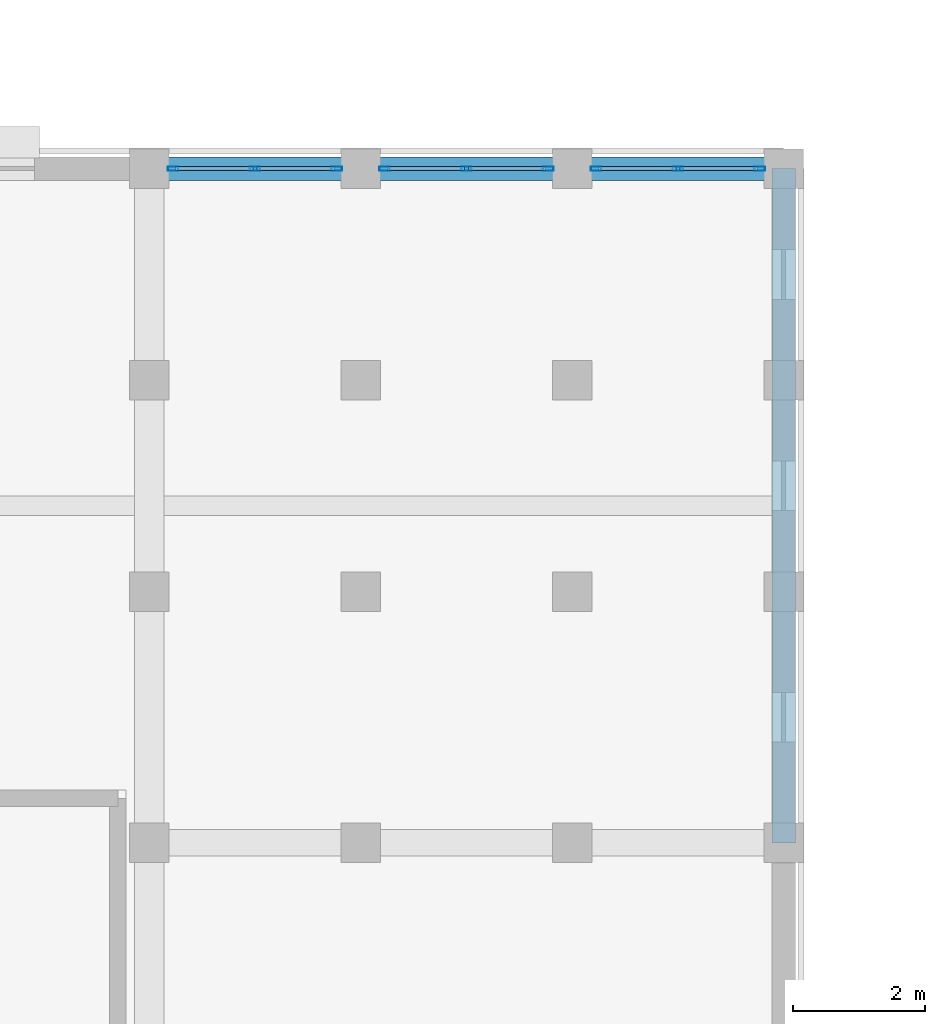
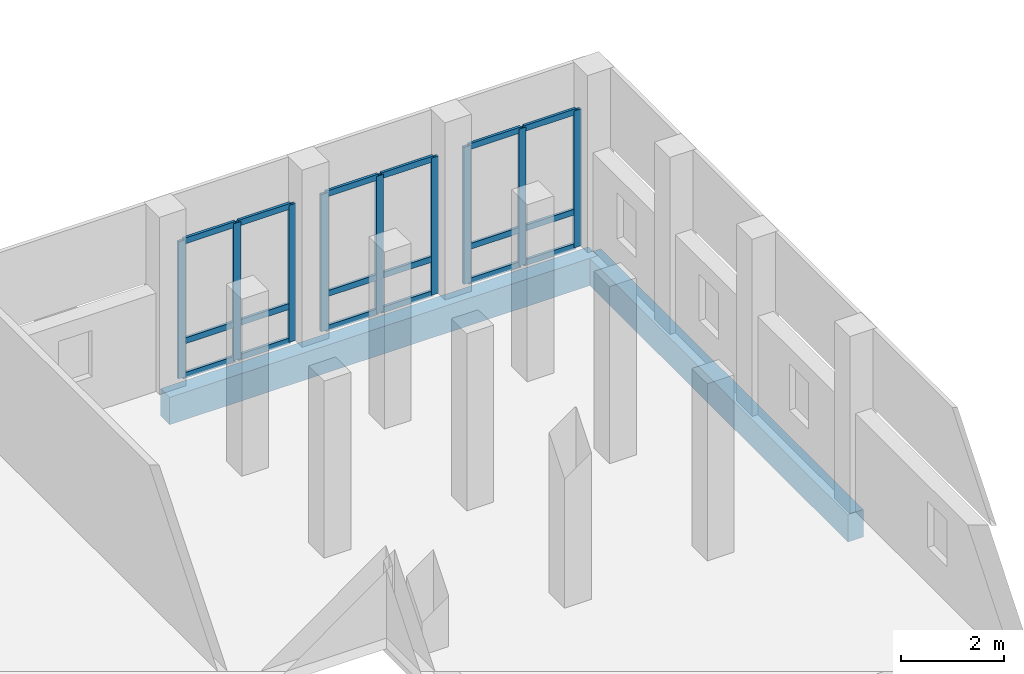
# One storey, part 24 of 93: 27 members, 2 beams, 3 elements without a shape of their own.
"""IFC4 building model written with IfcOpenShell, lengths in metres."""

import ifcopenshell
import ifcopenshell.guid

model = None  # the IFC model being written
_history = None  # IfcOwnerHistory: only IFC2X3 demands one
_inside = {}  # id of a spatial element -> (the spatial element, [elements in it])
_under = {}  # id of a project, library or spatial element -> (it, [spatial elements below it])
_declared = {}  # id of a project -> (the project, [libraries it declares])
_typed = {}  # id of a type object -> (the type object, [elements of that type])
_made_of = {}  # id of a material, layer set ... -> (it, [elements and type objects made of it])


def new_model(schema):
    """Start an empty IFC model of exactly this schema.

    Asked for "IFC4X3", IfcOpenShell would pick the latest addendum, in which some entities
    have other attributes; the version numbers below select the first issue.
    IFC2X3 requires an IfcOwnerHistory on every rooted entity: one is made here for all.
    """
    global model, _history
    if schema == "IFC4X3":
        model = ifcopenshell.file(schema_version=(4, 3, 0, 0))
    else:
        model = ifcopenshell.file(schema=schema)
    _inside.clear()
    _under.clear()
    _declared.clear()
    _typed.clear()
    _made_of.clear()
    _history = None
    if model.schema == "IFC2X3":
        org = make("IfcOrganization", Name="unknown")
        user = make(
            "IfcPersonAndOrganization",
            ThePerson=make("IfcPerson", FamilyName="unknown"),
            TheOrganization=org,
        )
        app = make(
            "IfcApplication",
            ApplicationDeveloper=org,
            Version="unknown",
            ApplicationFullName="unknown",
            ApplicationIdentifier="unknown",
        )
        _history = make(
            "IfcOwnerHistory",
            OwningUser=user,
            OwningApplication=app,
            ChangeAction="ADDED",
            CreationDate=0,
        )
    return model


def make(cls, **values):
    """One entity of the class cls with the attributes given. An attribute that is None is left unset."""
    return model.create_entity(
        cls, **{name: value for name, value in values.items() if value is not None}
    )


def rooted(cls, **values):
    """An entity with a GlobalId (a new one), such as an element, a storey or a relation."""
    return make(cls, GlobalId=ifcopenshell.guid.new(), OwnerHistory=_history, **values)


def si_unit(unit_type, name, prefix=None):
    """IfcSIUnit, for example si_unit("LENGTHUNIT", "METRE", prefix="MILLI")."""
    return make("IfcSIUnit", UnitType=unit_type, Prefix=prefix, Name=name)


def assignment(units):
    """IfcUnitAssignment: the units of a project."""
    return None if units is None else make("IfcUnitAssignment", Units=units)


def point(xyz):
    """IfcCartesianPoint."""
    return None if xyz is None else make("IfcCartesianPoint", Coordinates=xyz)


def direction(xyz):
    """IfcDirection."""
    return None if xyz is None else make("IfcDirection", DirectionRatios=xyz)


def frame(location, z_axis=None, x_axis=None):
    """IfcAxis2Placement3D, a coordinate frame: its origin and axes. An axis left out is left unset."""
    return make(
        "IfcAxis2Placement3D",
        Location=point(location),
        Axis=direction(z_axis),
        RefDirection=direction(x_axis),
    )


def frame_2d(location, x_axis=None):
    """IfcAxis2Placement2D, a coordinate frame in the plane: its origin and x axis."""
    return make(
        "IfcAxis2Placement2D", Location=point(location), RefDirection=direction(x_axis)
    )


def origin():
    """The frame at (0, 0, 0) with its axes left unset."""
    return frame((0.0, 0.0, 0.0))


def origin_2d():
    """The frame at (0, 0) in the plane with its x axis left unset."""
    return frame_2d((0.0, 0.0))


def place(relative_to, where):
    """IfcLocalPlacement: puts the frame where relative to a parent placement (None: the world)."""
    return make(
        "IfcLocalPlacement", PlacementRelTo=relative_to, RelativePlacement=where
    )


def context(
    kind, dimensions, precision=None, world=None, true_north=None, identifier=None
):
    """IfcGeometricRepresentationContext, for example the 3D "Model" context."""
    return make(
        "IfcGeometricRepresentationContext",
        ContextIdentifier=identifier,
        ContextType=kind,
        CoordinateSpaceDimension=dimensions,
        Precision=precision,
        WorldCoordinateSystem=world,
        TrueNorth=true_north,
    )


def subcontext(parent, identifier, kind, view, scale=None):
    """IfcGeometricRepresentationSubContext, for example "Body" below "Model"."""
    return make(
        "IfcGeometricRepresentationSubContext",
        ContextIdentifier=identifier,
        ContextType=kind,
        ParentContext=parent,
        TargetScale=scale,
        TargetView=view,
    )


def project(units=None, contexts=None):
    """IfcProject with its units and contexts."""
    return rooted(
        "IfcProject",
        Name="project",
        RepresentationContexts=contexts,
        UnitsInContext=assignment(units),
    )


def spatial(cls, under=None, at=None, **own):
    """A site, building, storey or space (cls), placed at a placement, below another one or the project."""
    s = rooted(cls, ObjectPlacement=at, **own)
    if under is not None:
        _under.setdefault(under.id(), (under, []))[1].append(s)
    return s


def profile(cls, at=None, kind="AREA", **sizes):
    """A parametric profile (cls). Its sizes go by their IFC names, for example OverallWidth=200.0."""
    return make(cls, ProfileType=kind, Position=at, **sizes)


def rectangle(**sizes):
    """IfcRectangleProfileDef."""
    return profile("IfcRectangleProfileDef", **sizes)


def hollow_rectangle(**sizes):
    """IfcRectangleHollowProfileDef."""
    return profile("IfcRectangleHollowProfileDef", **sizes)


def extrude(swept, where, along, depth):
    """IfcExtrudedAreaSolid: the profile swept, set in the frame where, extruded along a direction by depth."""
    return make(
        "IfcExtrudedAreaSolid",
        SweptArea=swept,
        Position=where,
        ExtrudedDirection=direction(along),
        Depth=depth,
    )


def shape(context_of_items, identifier, shape_type, items):
    """IfcShapeRepresentation: the items that make up one representation, for example the "Body"."""
    return make(
        "IfcShapeRepresentation",
        ContextOfItems=context_of_items,
        RepresentationIdentifier=identifier,
        RepresentationType=shape_type,
        Items=items,
    )


def material(Name=None, Category=None):
    """IfcMaterial."""
    return make("IfcMaterial", Name=Name, Category=Category)


def material_profile(
    of_material, cross_section, Name=None, Category=None, Priority=None
):
    """IfcMaterialProfile: a cross section and its material."""
    return make(
        "IfcMaterialProfile",
        Name=Name,
        Material=of_material,
        Profile=cross_section,
        Priority=Priority,
        Category=Category,
    )


def profile_set(profiles, Name=None, composite=None):
    """IfcMaterialProfileSet."""
    return make(
        "IfcMaterialProfileSet",
        Name=Name,
        MaterialProfiles=profiles,
        CompositeProfile=composite,
    )


def made_of(thing, what):
    """Note that an element or type object is made of a material, layer set ...; save() writes the relation."""
    if what is not None:
        _made_of.setdefault(what.id(), (what, []))[1].append(thing)
    return thing


def type_object(cls, material=None, **own):
    """A type object (cls), such as IfcWallType, which elements share."""
    return made_of(rooted(cls, **own), material)


def element(
    cls,
    number,
    at=None,
    inside=None,
    cuts=None,
    type_object=None,
    material=None,
    context=None,
    identifier="Body",
    shape_type=None,
    held_by="IfcProductDefinitionShape",
    body=None,
    shapes=None,
    **own,
):
    """One element of the class cls, such as IfcWall. Its Tag is "e" and its number.

    at: its placement. inside: the storey or other place that contains it. cuts: it is an
    opening in that element (IfcRelVoidsElement). A single representation is given by context,
    identifier, shape_type and body (its items); several are given by shapes. held_by: the class
    of the entity that holds the representations. save() writes the other relations.
    """
    e = rooted(cls, Tag="e%d" % number, ObjectPlacement=at, **own)
    if body is not None:
        shapes = [shape(context, identifier, shape_type, body)]
    if shapes is not None:
        e.Representation = make(held_by, Representations=shapes)
    if inside is not None:
        _inside.setdefault(inside.id(), (inside, []))[1].append(e)
    if cuts is not None:
        rooted(
            "IfcRelVoidsElement", RelatingBuildingElement=cuts, RelatedOpeningElement=e
        )
    if type_object is not None:
        _typed.setdefault(type_object.id(), (type_object, []))[1].append(e)
    return made_of(e, material)


def aggregate(whole, parts):
    """IfcRelAggregates: a whole, such as a stair, and the parts it consists of."""
    return rooted("IfcRelAggregates", RelatingObject=whole, RelatedObjects=parts)


def save(model, path):
    """Write the relations noted so far, then the file.

    IfcRelAggregates (storeys below a building ...), IfcRelContainedInSpatialStructure (elements
    in a storey), IfcRelDefinesByType, IfcRelAssociatesMaterial and IfcRelDeclares: one each for
    every whole, place, type object, material and project.
    """
    for whole, parts in _under.values():
        aggregate(whole, parts)
    for where, things in _inside.values():
        rooted(
            "IfcRelContainedInSpatialStructure",
            RelatedElements=things,
            RelatingStructure=where,
        )
    for kind, things in _typed.values():
        rooted("IfcRelDefinesByType", RelatedObjects=things, RelatingType=kind)
    for what, things in _made_of.values():
        rooted("IfcRelAssociatesMaterial", RelatedObjects=things, RelatingMaterial=what)
    for by, libraries in _declared.values():
        rooted("IfcRelDeclares", RelatingContext=by, RelatedDefinitions=libraries)
    model.write(path)


model = new_model("IFC4")

# Units and contexts
model_context = context("Model", 3, precision=1e-05, world=origin(), true_north=direction((0.0, 1.0)))
body_context = subcontext(model_context, "Body", "Model", "MODEL_VIEW")
ifc_project = project(units=[si_unit("LENGTHUNIT", "METRE"), si_unit("AREAUNIT", "SQUARE_METRE"), si_unit("VOLUMEUNIT", "CUBIC_METRE"), si_unit("PLANEANGLEUNIT", "RADIAN"), si_unit("MASSUNIT", "GRAM", prefix="KILO")], contexts=[model_context])

# Site, building, storey
site_placement = place(None, origin())
site = spatial("IfcSite", under=ifc_project, at=site_placement, CompositionType="ELEMENT")
building_placement = place(site_placement, origin())
building = spatial("IfcBuilding", under=site, at=building_placement, Name="Vondelvale Polytechnic", CompositionType="ELEMENT")
storey_placement = place(building_placement, frame((0.0, 0.0, 18.0)))
storey = spatial("IfcBuildingStorey", under=building, at=storey_placement, Name="L04", CompositionType="ELEMENT", Elevation=18.0)

# Curtain wall, members
ifc_material_1 = material(Name="Anodised extruded aluminium 6063-T6", Category="aluminium")
curtain_wall_type = type_object("IfcCurtainWallType", Name="CW-STUDIO-NORTH", PredefinedType="NOTDEFINED", material=ifc_material_1)
curtain_wall_1_placement = place(storey_placement, origin())
curtain_wall_1 = element("IfcCurtainWall", 1, at=curtain_wall_1_placement, inside=storey, type_object=curtain_wall_type, Name="L04 architectural curtain wall CW-01-040", PredefinedType="NOTDEFINED")
ifc_material_profile_1 = material_profile(ifc_material_1, hollow_rectangle(XDim=0.06494140625, YDim=0.159912109375, WallThickness=0.0048828125, at=origin_2d()), Name="CW-MUL-160x65")
ifc_profile_set_1 = profile_set([ifc_material_profile_1], Name="Anodised extruded aluminium 6063-T6")
member_type_1 = type_object("IfcMemberType", Name="CW-MUL-65x160", PredefinedType="MULLION", material=ifc_profile_set_1)
member_1_placement = place(storey_placement, frame((38.762451171875, 40.800048828125, 0.0), z_axis=(0.0, 0.0, 1.0), x_axis=(0.0, 1.0, 0.0)))
member_1 = element("IfcMember", 2, at=member_1_placement, type_object=member_type_1, Name="CW-01-040 mullion 1", PredefinedType="MULLION", context=body_context, shape_type="SweptSolid", body=[
    extrude(hollow_rectangle(XDim=0.06494140625, YDim=0.159912109375, WallThickness=0.0048828125, at=origin_2d()), origin(), (0.0, 0.0, 1.0), 3.25),
])
member_2_placement = place(storey_placement, frame((40.0, 40.800048828125, 0.0), z_axis=(0.0, 0.0, 1.0), x_axis=(0.0, 1.0, 0.0)))
member_2 = element("IfcMember", 3, at=member_2_placement, type_object=member_type_1, Name="CW-01-040 mullion 2", PredefinedType="MULLION", context=body_context, shape_type="SweptSolid", body=[
    extrude(hollow_rectangle(XDim=0.06494140625, YDim=0.159912109375, WallThickness=0.0048828125, at=origin_2d()), origin(), (0.0, 0.0, 1.0), 3.25),
])
member_3_placement = place(storey_placement, frame((41.237548828125, 40.800048828125, 0.0), z_axis=(0.0, 0.0, 1.0), x_axis=(0.0, 1.0, 0.0)))
member_3 = element("IfcMember", 4, at=member_3_placement, type_object=member_type_1, Name="CW-01-040 mullion 3", PredefinedType="MULLION", context=body_context, shape_type="SweptSolid", body=[
    extrude(hollow_rectangle(XDim=0.06494140625, YDim=0.159912109375, WallThickness=0.0048828125, at=origin_2d()), origin(), (0.0, 0.0, 1.0), 3.25),
])

curtain_wall_2_placement = place(storey_placement, origin())
curtain_wall_2 = element("IfcCurtainWall", 5, at=curtain_wall_2_placement, inside=storey, type_object=curtain_wall_type, Name="L04 architectural curtain wall CW-01-041", PredefinedType="NOTDEFINED")
member_4_placement = place(storey_placement, frame((41.96240234375, 40.800048828125, 0.0), z_axis=(0.0, 0.0, 1.0), x_axis=(0.0, 1.0, 0.0)))
member_4 = element("IfcMember", 6, at=member_4_placement, type_object=member_type_1, Name="CW-01-041 mullion 1", PredefinedType="MULLION", context=body_context, shape_type="SweptSolid", body=[
    extrude(hollow_rectangle(XDim=0.06494140625, YDim=0.159912109375, WallThickness=0.0048828125, at=origin_2d()), origin(), (0.0, 0.0, 1.0), 3.25),
])
member_5_placement = place(storey_placement, frame((43.199951171875, 40.800048828125, 0.0), z_axis=(0.0, 0.0, 1.0), x_axis=(0.0, 1.0, 0.0)))
member_5 = element("IfcMember", 7, at=member_5_placement, type_object=member_type_1, Name="CW-01-041 mullion 2", PredefinedType="MULLION", context=body_context, shape_type="SweptSolid", body=[
    extrude(hollow_rectangle(XDim=0.06494140625, YDim=0.159912109375, WallThickness=0.0048828125, at=origin_2d()), origin(), (0.0, 0.0, 1.0), 3.25),
])
member_6_placement = place(storey_placement, frame((44.4375, 40.800048828125, 0.0), z_axis=(0.0, 0.0, 1.0), x_axis=(0.0, 1.0, 0.0)))
member_6 = element("IfcMember", 8, at=member_6_placement, type_object=member_type_1, Name="CW-01-041 mullion 3", PredefinedType="MULLION", context=body_context, shape_type="SweptSolid", body=[
    extrude(hollow_rectangle(XDim=0.06494140625, YDim=0.159912109375, WallThickness=0.0048828125, at=origin_2d()), origin(), (0.0, 0.0, 1.0), 3.25),
])

curtain_wall_3_placement = place(storey_placement, origin())
curtain_wall_3 = element("IfcCurtainWall", 9, at=curtain_wall_3_placement, inside=storey, type_object=curtain_wall_type, Name="L04 architectural curtain wall CW-01-042", PredefinedType="NOTDEFINED")
member_7_placement = place(storey_placement, frame((45.16259765625, 40.800048828125, 0.0), z_axis=(0.0, 0.0, 1.0), x_axis=(0.0, 1.0, 0.0)))
member_7 = element("IfcMember", 10, at=member_7_placement, type_object=member_type_1, Name="CW-01-042 mullion 1", PredefinedType="MULLION", context=body_context, shape_type="SweptSolid", body=[
    extrude(hollow_rectangle(XDim=0.06494140625, YDim=0.159912109375, WallThickness=0.0048828125, at=origin_2d()), origin(), (0.0, 0.0, 1.0), 3.25),
])
member_8_placement = place(storey_placement, frame((46.39990234375, 40.800048828125, 0.0), z_axis=(0.0, 0.0, 1.0), x_axis=(0.0, 1.0, 0.0)))
member_8 = element("IfcMember", 11, at=member_8_placement, type_object=member_type_1, Name="CW-01-042 mullion 2", PredefinedType="MULLION", context=body_context, shape_type="SweptSolid", body=[
    extrude(hollow_rectangle(XDim=0.06494140625, YDim=0.159912109375, WallThickness=0.0048828125, at=origin_2d()), origin(), (0.0, 0.0, 1.0), 3.25),
])
member_9_placement = place(storey_placement, frame((47.637451171875, 40.800048828125, 0.0), z_axis=(0.0, 0.0, 1.0), x_axis=(0.0, 1.0, 0.0)))
member_9 = element("IfcMember", 12, at=member_9_placement, type_object=member_type_1, Name="CW-01-042 mullion 3", PredefinedType="MULLION", context=body_context, shape_type="SweptSolid", body=[
    extrude(hollow_rectangle(XDim=0.06494140625, YDim=0.159912109375, WallThickness=0.0048828125, at=origin_2d()), origin(), (0.0, 0.0, 1.0), 3.25),
])

# Member
ifc_material_profile_2 = material_profile(ifc_material_1, hollow_rectangle(XDim=0.06005859375, YDim=0.139892578125, WallThickness=0.00341796875, at=origin_2d()), Name="CW-TRN-140x60")
ifc_profile_set_2 = profile_set([ifc_material_profile_2], Name="Anodised extruded aluminium 6063-T6")
member_type_2 = type_object("IfcMemberType", Name="CW-TRN-60x140", PredefinedType="USERDEFINED", material=ifc_profile_set_2)
member_10_placement = place(storey_placement, frame((38.794921875, 40.800048828125, 0.030029296875), z_axis=(1.0, 0.0, 0.0), x_axis=(0.0, 1.0, 0.0)))
member_10 = element("IfcMember", 13, at=member_10_placement, type_object=member_type_2, Name="CW-01-040 transom 1.1", ObjectType="TRANSOM", PredefinedType="USERDEFINED", context=body_context, shape_type="SweptSolid", body=[
    extrude(hollow_rectangle(XDim=0.06005859375, YDim=0.139892578125, WallThickness=0.00341796875, at=origin_2d()), origin(), (0.0, 0.0, 1.0), 1.172607421875),
])

member_11_placement = place(storey_placement, frame((38.794921875, 40.800048828125, 0.85009765625), z_axis=(1.0, 0.0, 0.0), x_axis=(0.0, 1.0, 0.0)))
member_11 = element("IfcMember", 14, at=member_11_placement, type_object=member_type_2, Name="CW-01-040 transom 1.2", ObjectType="TRANSOM", PredefinedType="USERDEFINED", context=body_context, shape_type="SweptSolid", body=[
    extrude(hollow_rectangle(XDim=0.06005859375, YDim=0.139892578125, WallThickness=0.00341796875, at=origin_2d()), origin(), (0.0, 0.0, 1.0), 1.172607421875),
])

member_12_placement = place(storey_placement, frame((38.794921875, 40.800048828125, 3.219970703125), z_axis=(1.0, 0.0, 0.0), x_axis=(0.0, 1.0, 0.0)))
member_12 = element("IfcMember", 15, at=member_12_placement, type_object=member_type_2, Name="CW-01-040 transom 1.3", ObjectType="TRANSOM", PredefinedType="USERDEFINED", context=body_context, shape_type="SweptSolid", body=[
    extrude(hollow_rectangle(XDim=0.06005859375, YDim=0.139892578125, WallThickness=0.00341796875, at=origin_2d()), origin(), (0.0, 0.0, 1.0), 1.172607421875),
])

member_13_placement = place(storey_placement, frame((40.032470703125, 40.800048828125, 0.030029296875), z_axis=(1.0, 0.0, 0.0), x_axis=(0.0, 1.0, 0.0)))
member_13 = element("IfcMember", 16, at=member_13_placement, type_object=member_type_2, Name="CW-01-040 transom 2.1", ObjectType="TRANSOM", PredefinedType="USERDEFINED", context=body_context, shape_type="SweptSolid", body=[
    extrude(hollow_rectangle(XDim=0.06005859375, YDim=0.139892578125, WallThickness=0.00341796875, at=origin_2d()), origin(), (0.0, 0.0, 1.0), 1.172607421875),
])

member_14_placement = place(storey_placement, frame((40.032470703125, 40.800048828125, 0.85009765625), z_axis=(1.0, 0.0, 0.0), x_axis=(0.0, 1.0, 0.0)))
member_14 = element("IfcMember", 17, at=member_14_placement, type_object=member_type_2, Name="CW-01-040 transom 2.2", ObjectType="TRANSOM", PredefinedType="USERDEFINED", context=body_context, shape_type="SweptSolid", body=[
    extrude(hollow_rectangle(XDim=0.06005859375, YDim=0.139892578125, WallThickness=0.00341796875, at=origin_2d()), origin(), (0.0, 0.0, 1.0), 1.172607421875),
])

member_15_placement = place(storey_placement, frame((40.032470703125, 40.800048828125, 3.219970703125), z_axis=(1.0, 0.0, 0.0), x_axis=(0.0, 1.0, 0.0)))
member_15 = element("IfcMember", 18, at=member_15_placement, type_object=member_type_2, Name="CW-01-040 transom 2.3", ObjectType="TRANSOM", PredefinedType="USERDEFINED", context=body_context, shape_type="SweptSolid", body=[
    extrude(hollow_rectangle(XDim=0.06005859375, YDim=0.139892578125, WallThickness=0.00341796875, at=origin_2d()), origin(), (0.0, 0.0, 1.0), 1.172607421875),
])

aggregate(curtain_wall_1, [member_1, member_2, member_3, member_10, member_11, member_12, member_13, member_14, member_15])

member_16_placement = place(storey_placement, frame((41.9951171875, 40.800048828125, 0.030029296875), z_axis=(1.0, 0.0, 0.0), x_axis=(0.0, 1.0, 0.0)))
member_16 = element("IfcMember", 19, at=member_16_placement, type_object=member_type_2, Name="CW-01-041 transom 1.1", ObjectType="TRANSOM", PredefinedType="USERDEFINED", context=body_context, shape_type="SweptSolid", body=[
    extrude(hollow_rectangle(XDim=0.06005859375, YDim=0.139892578125, WallThickness=0.00341796875, at=origin_2d()), origin(), (0.0, 0.0, 1.0), 1.17236328125),
])

member_17_placement = place(storey_placement, frame((41.9951171875, 40.800048828125, 0.85009765625), z_axis=(1.0, 0.0, 0.0), x_axis=(0.0, 1.0, 0.0)))
member_17 = element("IfcMember", 20, at=member_17_placement, type_object=member_type_2, Name="CW-01-041 transom 1.2", ObjectType="TRANSOM", PredefinedType="USERDEFINED", context=body_context, shape_type="SweptSolid", body=[
    extrude(hollow_rectangle(XDim=0.06005859375, YDim=0.139892578125, WallThickness=0.00341796875, at=origin_2d()), origin(), (0.0, 0.0, 1.0), 1.17236328125),
])

member_18_placement = place(storey_placement, frame((41.9951171875, 40.800048828125, 3.219970703125), z_axis=(1.0, 0.0, 0.0), x_axis=(0.0, 1.0, 0.0)))
member_18 = element("IfcMember", 21, at=member_18_placement, type_object=member_type_2, Name="CW-01-041 transom 1.3", ObjectType="TRANSOM", PredefinedType="USERDEFINED", context=body_context, shape_type="SweptSolid", body=[
    extrude(hollow_rectangle(XDim=0.06005859375, YDim=0.139892578125, WallThickness=0.00341796875, at=origin_2d()), origin(), (0.0, 0.0, 1.0), 1.17236328125),
])

member_19_placement = place(storey_placement, frame((43.232421875, 40.800048828125, 0.030029296875), z_axis=(1.0, 0.0, 0.0), x_axis=(0.0, 1.0, 0.0)))
member_19 = element("IfcMember", 22, at=member_19_placement, type_object=member_type_2, Name="CW-01-041 transom 2.1", ObjectType="TRANSOM", PredefinedType="USERDEFINED", context=body_context, shape_type="SweptSolid", body=[
    extrude(hollow_rectangle(XDim=0.06005859375, YDim=0.139892578125, WallThickness=0.00341796875, at=origin_2d()), origin(), (0.0, 0.0, 1.0), 1.172607421875),
])

member_20_placement = place(storey_placement, frame((43.232421875, 40.800048828125, 0.85009765625), z_axis=(1.0, 0.0, 0.0), x_axis=(0.0, 1.0, 0.0)))
member_20 = element("IfcMember", 23, at=member_20_placement, type_object=member_type_2, Name="CW-01-041 transom 2.2", ObjectType="TRANSOM", PredefinedType="USERDEFINED", context=body_context, shape_type="SweptSolid", body=[
    extrude(hollow_rectangle(XDim=0.06005859375, YDim=0.139892578125, WallThickness=0.00341796875, at=origin_2d()), origin(), (0.0, 0.0, 1.0), 1.172607421875),
])

member_21_placement = place(storey_placement, frame((43.232421875, 40.800048828125, 3.219970703125), z_axis=(1.0, 0.0, 0.0), x_axis=(0.0, 1.0, 0.0)))
member_21 = element("IfcMember", 24, at=member_21_placement, type_object=member_type_2, Name="CW-01-041 transom 2.3", ObjectType="TRANSOM", PredefinedType="USERDEFINED", context=body_context, shape_type="SweptSolid", body=[
    extrude(hollow_rectangle(XDim=0.06005859375, YDim=0.139892578125, WallThickness=0.00341796875, at=origin_2d()), origin(), (0.0, 0.0, 1.0), 1.172607421875),
])

aggregate(curtain_wall_2, [member_4, member_5, member_6, member_16, member_17, member_18, member_19, member_20, member_21])

member_22_placement = place(storey_placement, frame((45.195068359375, 40.800048828125, 0.030029296875), z_axis=(1.0, 0.0, 0.0), x_axis=(0.0, 1.0, 0.0)))
member_22 = element("IfcMember", 25, at=member_22_placement, type_object=member_type_2, Name="CW-01-042 transom 1.1", ObjectType="TRANSOM", PredefinedType="USERDEFINED", context=body_context, shape_type="SweptSolid", body=[
    extrude(hollow_rectangle(XDim=0.06005859375, YDim=0.139892578125, WallThickness=0.00341796875, at=origin_2d()), origin(), (0.0, 0.0, 1.0), 1.17236328125),
])

member_23_placement = place(storey_placement, frame((45.195068359375, 40.800048828125, 0.85009765625), z_axis=(1.0, 0.0, 0.0), x_axis=(0.0, 1.0, 0.0)))
member_23 = element("IfcMember", 26, at=member_23_placement, type_object=member_type_2, Name="CW-01-042 transom 1.2", ObjectType="TRANSOM", PredefinedType="USERDEFINED", context=body_context, shape_type="SweptSolid", body=[
    extrude(hollow_rectangle(XDim=0.06005859375, YDim=0.139892578125, WallThickness=0.00341796875, at=origin_2d()), origin(), (0.0, 0.0, 1.0), 1.17236328125),
])

member_24_placement = place(storey_placement, frame((45.195068359375, 40.800048828125, 3.219970703125), z_axis=(1.0, 0.0, 0.0), x_axis=(0.0, 1.0, 0.0)))
member_24 = element("IfcMember", 27, at=member_24_placement, type_object=member_type_2, Name="CW-01-042 transom 1.3", ObjectType="TRANSOM", PredefinedType="USERDEFINED", context=body_context, shape_type="SweptSolid", body=[
    extrude(hollow_rectangle(XDim=0.06005859375, YDim=0.139892578125, WallThickness=0.00341796875, at=origin_2d()), origin(), (0.0, 0.0, 1.0), 1.17236328125),
])

member_25_placement = place(storey_placement, frame((46.4326171875, 40.800048828125, 0.030029296875), z_axis=(1.0, 0.0, 0.0), x_axis=(0.0, 1.0, 0.0)))
member_25 = element("IfcMember", 28, at=member_25_placement, type_object=member_type_2, Name="CW-01-042 transom 2.1", ObjectType="TRANSOM", PredefinedType="USERDEFINED", context=body_context, shape_type="SweptSolid", body=[
    extrude(hollow_rectangle(XDim=0.06005859375, YDim=0.139892578125, WallThickness=0.00341796875, at=origin_2d()), origin(), (0.0, 0.0, 1.0), 1.17236328125),
])

member_26_placement = place(storey_placement, frame((46.4326171875, 40.800048828125, 0.85009765625), z_axis=(1.0, 0.0, 0.0), x_axis=(0.0, 1.0, 0.0)))
member_26 = element("IfcMember", 29, at=member_26_placement, type_object=member_type_2, Name="CW-01-042 transom 2.2", ObjectType="TRANSOM", PredefinedType="USERDEFINED", context=body_context, shape_type="SweptSolid", body=[
    extrude(hollow_rectangle(XDim=0.06005859375, YDim=0.139892578125, WallThickness=0.00341796875, at=origin_2d()), origin(), (0.0, 0.0, 1.0), 1.17236328125),
])

member_27_placement = place(storey_placement, frame((46.4326171875, 40.800048828125, 3.219970703125), z_axis=(1.0, 0.0, 0.0), x_axis=(0.0, 1.0, 0.0)))
member_27 = element("IfcMember", 30, at=member_27_placement, type_object=member_type_2, Name="CW-01-042 transom 2.3", ObjectType="TRANSOM", PredefinedType="USERDEFINED", context=body_context, shape_type="SweptSolid", body=[
    extrude(hollow_rectangle(XDim=0.06005859375, YDim=0.139892578125, WallThickness=0.00341796875, at=origin_2d()), origin(), (0.0, 0.0, 1.0), 1.17236328125),
])

aggregate(curtain_wall_3, [member_7, member_8, member_9, member_22, member_23, member_24, member_25, member_26, member_27])

# Beams
ifc_material_2 = material(Name="Precast concrete N40 (f'c = 40 MPa)", Category="concrete")
ifc_material_profile_3 = material_profile(ifc_material_2, rectangle(XDim=0.35009765625, YDim=0.64990234375, at=origin_2d()), Name="RC-SPN-350x650")
ifc_profile_set_3 = profile_set([ifc_material_profile_3], Name="Precast concrete N40 (f'c = 40 MPa)")
beam_type = type_object("IfcBeamType", Name="SPN-PRE350x650", PredefinedType="SPANDREL", material=ifc_profile_set_3)
beam_1_placement = place(storey_placement, frame((38.39990234375, 40.800048828125, -0.574951171875), z_axis=(1.0, 0.0, 0.0), x_axis=(0.0, 1.0, 0.0)))
element("IfcBeam", 31, at=beam_1_placement, inside=storey, type_object=beam_type, Name="L04 B SP-02", PredefinedType="SPANDREL", context=body_context, shape_type="SweptSolid", body=[
    extrude(rectangle(XDim=0.35009765625, YDim=0.64990234375, at=origin_2d()), origin(), (0.0, 0.0, 1.0), 9.60009765625),
])
beam_2_placement = place(storey_placement, frame((48.0, 30.60009765625, -0.574951171875), z_axis=(0.0, 1.0, 0.0), x_axis=(-1.0, 0.0, 0.0)))
element("IfcBeam", 32, at=beam_2_placement, inside=storey, type_object=beam_type, Name="L04 B SP-02", PredefinedType="SPANDREL", context=body_context, shape_type="SweptSolid", body=[
    extrude(rectangle(XDim=0.35009765625, YDim=0.64990234375, at=origin_2d()), origin(), (0.0, 0.0, 1.0), 10.199951171875),
])

save(model, "model.ifc")
